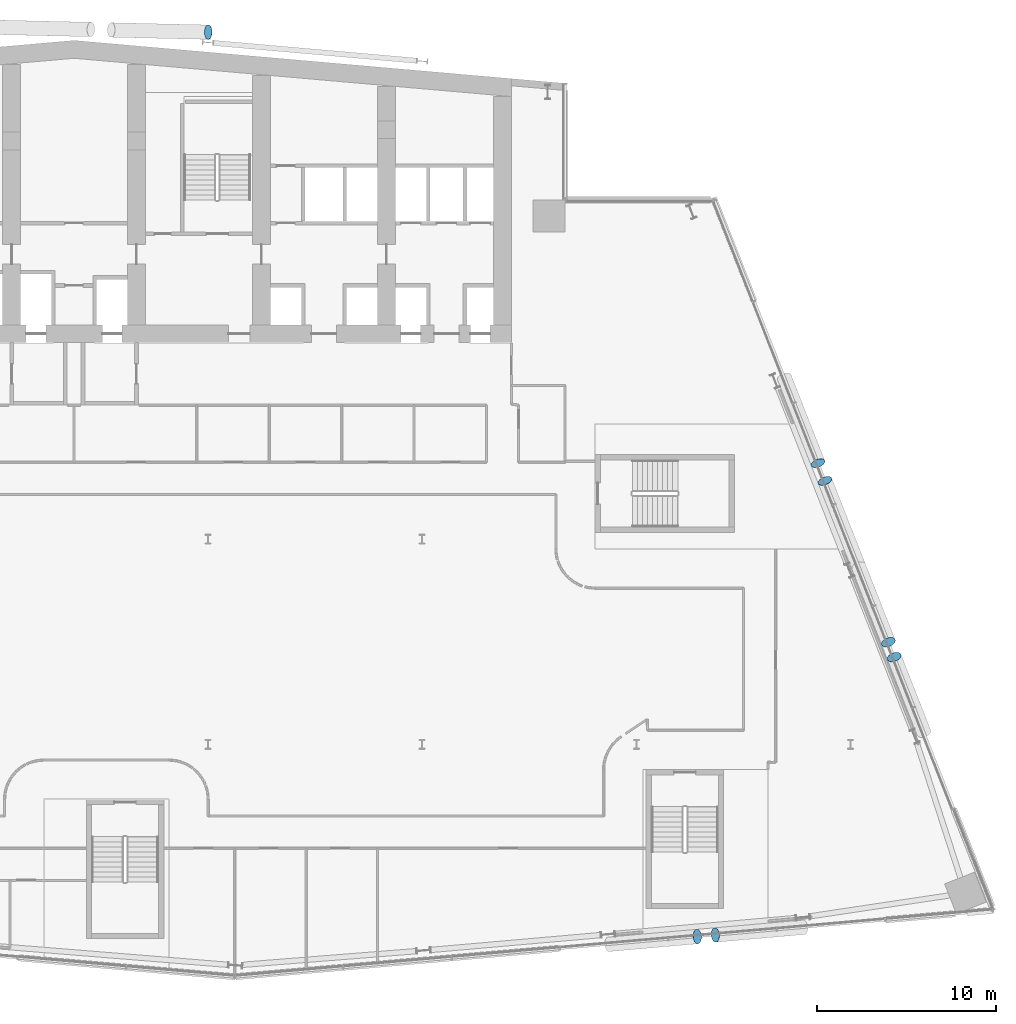
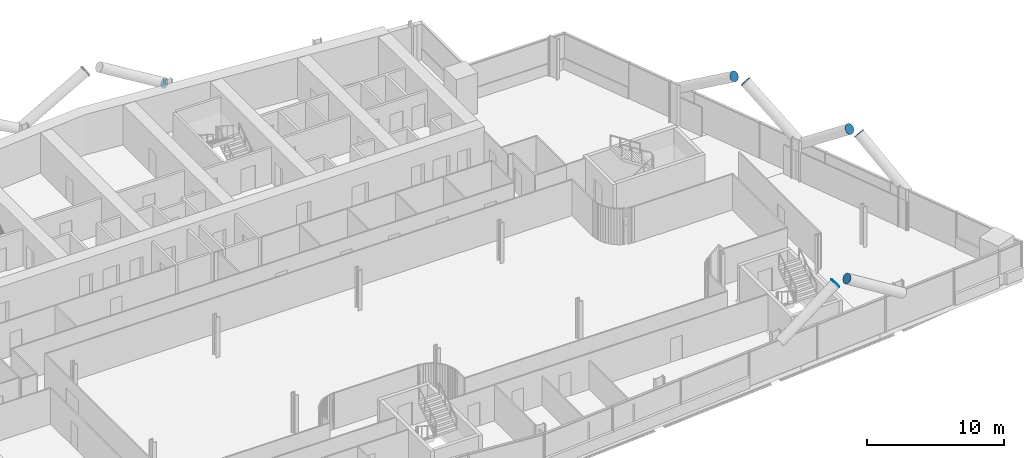
# One storey, part 26 of 30: 7 discrete accessories.
"""IFC4 building model written with IfcOpenShell, lengths in metres."""

from ifc_helpers import new_model, si_unit, direction, frame, origin, origin_2d, place, context, subcontext, project, spatial, circle, extrude, material, material_profile, profile_set, type_object, element, save


model = new_model("IFC4")

# Units and contexts
model_context = context("Model", 3, precision=1e-05, world=origin(), true_north=direction((0.0, 1.0)))
body_context = subcontext(model_context, "Body", "Model", "MODEL_VIEW")
ifc_project = project(units=[si_unit("LENGTHUNIT", "METRE"), si_unit("AREAUNIT", "SQUARE_METRE"), si_unit("VOLUMEUNIT", "CUBIC_METRE"), si_unit("PLANEANGLEUNIT", "RADIAN"), si_unit("MASSUNIT", "GRAM", prefix="KILO")], contexts=[model_context])

# Site, building, storey
site_placement = place(None, origin())
site = spatial("IfcSite", under=ifc_project, at=site_placement, CompositionType="ELEMENT")
building_placement = place(site_placement, origin())
building = spatial("IfcBuilding", under=site, at=building_placement, Name="Wharfspan Tower", CompositionType="ELEMENT")
storey_placement = place(building_placement, frame((0.0, 0.0, 100.300049)))
storey = spatial("IfcBuildingStorey", under=building, at=storey_placement, Name="L22", CompositionType="ELEMENT", Elevation=100.300049)

# Discrete accessories
ifc_material = material(Name="Steel S460NH", Category="steel")
ifc_material_profile = material_profile(ifc_material, circle(Radius=0.406494, at=origin_2d()))
ifc_profile_set = profile_set([ifc_material_profile], Name="Steel S460NH")
discrete_accessory_type = type_object("IfcDiscreteAccessoryType", Name="End plate CHS 813x40", PredefinedType="BRACKET", material=ifc_profile_set)
discrete_accessory_1_placement = place(storey_placement, frame((75.401855, 0.73291, 6.162109), z_axis=(0.827302, 0.048665, 0.559645), x_axis=(-0.058723, 0.998276, 1e-06)))
element("IfcDiscreteAccessory", 1, at=discrete_accessory_1_placement, inside=storey, type_object=discrete_accessory_type, Name="End plate CHS 813x40", PredefinedType="BRACKET", context=body_context, shape_type="SweptSolid", body=[
    extrude(circle(Radius=0.406494, at=origin_2d()), origin(), (0.0, 0.0, 1.0), 0.01001),
])
discrete_accessory_2_placement = place(storey_placement, frame((76.427002, 0.82251, 6.162109), z_axis=(-0.83357, -0.071449, 0.547774), x_axis=(0.085401, -0.996343, 0.0)))
element("IfcDiscreteAccessory", 2, at=discrete_accessory_2_placement, inside=storey, type_object=discrete_accessory_type, Name="End plate CHS 813x40", PredefinedType="BRACKET", context=body_context, shape_type="SweptSolid", body=[
    extrude(circle(Radius=0.406494, at=origin_2d()), origin(), (0.0, 0.0, 1.0), 0.010254),
])
discrete_accessory_3_placement = place(storey_placement, frame((82.563477, 26.251709, 6.158447), z_axis=(-0.321601, 0.791633, 0.519509), x_axis=(-0.926467, -0.376378, 1e-06)))
element("IfcDiscreteAccessory", 3, at=discrete_accessory_3_placement, inside=storey, type_object=discrete_accessory_type, Name="End plate CHS 813x40", PredefinedType="BRACKET", context=body_context, shape_type="SweptSolid", body=[
    extrude(circle(Radius=0.406494, at=origin_2d()), origin(), (0.0, 0.0, 1.0), 0.009766),
])
for number, where, z_axis, x_axis, name in (
    (4, (82.168213, 27.257812, 6.158447), (0.293294, -0.806559, 0.513265), (0.939791, 0.341742, 0.0), "End plate CHS 813x40"),
    (5, (86.442627, 16.381348, 6.172119), (-0.292683, 0.756098, 0.585366), (-0.932565, -0.360992, -1e-06), "End plate CHS 813x40"),
    (6, (86.109863, 17.228027, 6.172119), (0.292683, -0.756098, 0.585366), (0.932565, 0.360992, -1e-06), "End plate CHS 813x40"),
    (7, (48.02124, 51.390381, 2.894775), (-0.857493, 0.0, 0.514496), (0.0, -1.0, 0.0), "End plate CHS 813x40"),
):
    element("IfcDiscreteAccessory", number, at=place(storey_placement, frame(where, z_axis=z_axis, x_axis=x_axis)), inside=storey, type_object=discrete_accessory_type, Name=name, PredefinedType="BRACKET", context=body_context, shape_type="SweptSolid", body=[
        extrude(circle(Radius=0.406494, at=origin_2d()), origin(), (0.0, 0.0, 1.0), 0.01001),
    ])

save(model, "model.ifc")
